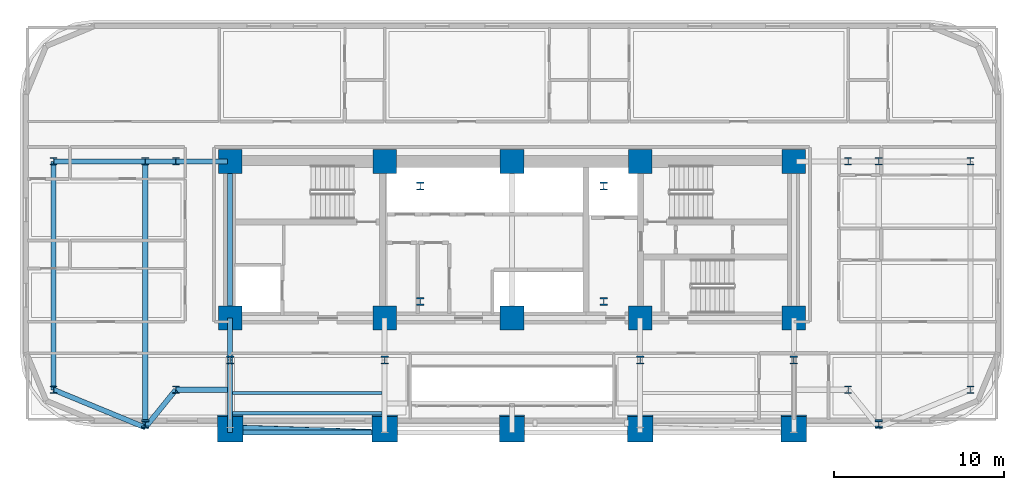
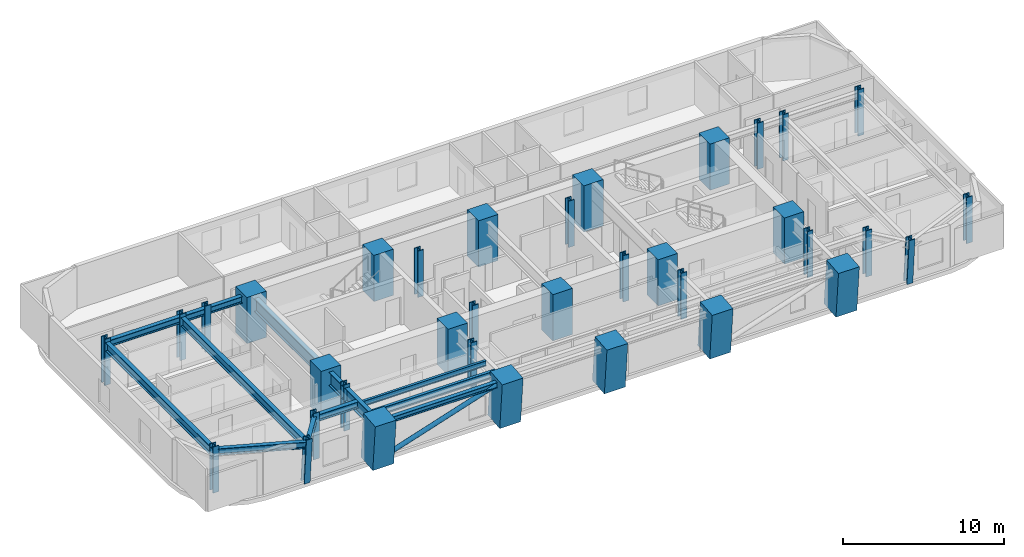
# One storey, part 1 of 16: 35 columns, 14 beams, 1 member.
"""IFC4 building model written with IfcOpenShell, lengths in metres."""

import ifcopenshell
import ifcopenshell.guid

model = None  # the IFC model being written
_history = None  # IfcOwnerHistory: only IFC2X3 demands one
_inside = {}  # id of a spatial element -> (the spatial element, [elements in it])
_under = {}  # id of a project, library or spatial element -> (it, [spatial elements below it])
_declared = {}  # id of a project -> (the project, [libraries it declares])
_typed = {}  # id of a type object -> (the type object, [elements of that type])
_made_of = {}  # id of a material, layer set ... -> (it, [elements and type objects made of it])


def new_model(schema):
    """Start an empty IFC model of exactly this schema.

    Asked for "IFC4X3", IfcOpenShell would pick the latest addendum, in which some entities
    have other attributes; the version numbers below select the first issue.
    IFC2X3 requires an IfcOwnerHistory on every rooted entity: one is made here for all.
    """
    global model, _history
    if schema == "IFC4X3":
        model = ifcopenshell.file(schema_version=(4, 3, 0, 0))
    else:
        model = ifcopenshell.file(schema=schema)
    _inside.clear()
    _under.clear()
    _declared.clear()
    _typed.clear()
    _made_of.clear()
    _history = None
    if model.schema == "IFC2X3":
        org = make("IfcOrganization", Name="unknown")
        user = make(
            "IfcPersonAndOrganization",
            ThePerson=make("IfcPerson", FamilyName="unknown"),
            TheOrganization=org,
        )
        app = make(
            "IfcApplication",
            ApplicationDeveloper=org,
            Version="unknown",
            ApplicationFullName="unknown",
            ApplicationIdentifier="unknown",
        )
        _history = make(
            "IfcOwnerHistory",
            OwningUser=user,
            OwningApplication=app,
            ChangeAction="ADDED",
            CreationDate=0,
        )
    return model


def make(cls, **values):
    """One entity of the class cls with the attributes given. An attribute that is None is left unset."""
    return model.create_entity(
        cls, **{name: value for name, value in values.items() if value is not None}
    )


def rooted(cls, **values):
    """An entity with a GlobalId (a new one), such as an element, a storey or a relation."""
    return make(cls, GlobalId=ifcopenshell.guid.new(), OwnerHistory=_history, **values)


def si_unit(unit_type, name, prefix=None):
    """IfcSIUnit, for example si_unit("LENGTHUNIT", "METRE", prefix="MILLI")."""
    return make("IfcSIUnit", UnitType=unit_type, Prefix=prefix, Name=name)


def assignment(units):
    """IfcUnitAssignment: the units of a project."""
    return None if units is None else make("IfcUnitAssignment", Units=units)


def point(xyz):
    """IfcCartesianPoint."""
    return None if xyz is None else make("IfcCartesianPoint", Coordinates=xyz)


def direction(xyz):
    """IfcDirection."""
    return None if xyz is None else make("IfcDirection", DirectionRatios=xyz)


def frame(location, z_axis=None, x_axis=None):
    """IfcAxis2Placement3D, a coordinate frame: its origin and axes. An axis left out is left unset."""
    return make(
        "IfcAxis2Placement3D",
        Location=point(location),
        Axis=direction(z_axis),
        RefDirection=direction(x_axis),
    )


def frame_2d(location, x_axis=None):
    """IfcAxis2Placement2D, a coordinate frame in the plane: its origin and x axis."""
    return make(
        "IfcAxis2Placement2D", Location=point(location), RefDirection=direction(x_axis)
    )


def origin():
    """The frame at (0, 0, 0) with its axes left unset."""
    return frame((0.0, 0.0, 0.0))


def origin_2d():
    """The frame at (0, 0) in the plane with its x axis left unset."""
    return frame_2d((0.0, 0.0))


def place(relative_to, where):
    """IfcLocalPlacement: puts the frame where relative to a parent placement (None: the world)."""
    return make(
        "IfcLocalPlacement", PlacementRelTo=relative_to, RelativePlacement=where
    )


def context(
    kind, dimensions, precision=None, world=None, true_north=None, identifier=None
):
    """IfcGeometricRepresentationContext, for example the 3D "Model" context."""
    return make(
        "IfcGeometricRepresentationContext",
        ContextIdentifier=identifier,
        ContextType=kind,
        CoordinateSpaceDimension=dimensions,
        Precision=precision,
        WorldCoordinateSystem=world,
        TrueNorth=true_north,
    )


def subcontext(parent, identifier, kind, view, scale=None):
    """IfcGeometricRepresentationSubContext, for example "Body" below "Model"."""
    return make(
        "IfcGeometricRepresentationSubContext",
        ContextIdentifier=identifier,
        ContextType=kind,
        ParentContext=parent,
        TargetScale=scale,
        TargetView=view,
    )


def project(units=None, contexts=None):
    """IfcProject with its units and contexts."""
    return rooted(
        "IfcProject",
        Name="project",
        RepresentationContexts=contexts,
        UnitsInContext=assignment(units),
    )


def spatial(cls, under=None, at=None, **own):
    """A site, building, storey or space (cls), placed at a placement, below another one or the project."""
    s = rooted(cls, ObjectPlacement=at, **own)
    if under is not None:
        _under.setdefault(under.id(), (under, []))[1].append(s)
    return s


def profile(cls, at=None, kind="AREA", **sizes):
    """A parametric profile (cls). Its sizes go by their IFC names, for example OverallWidth=200.0."""
    return make(cls, ProfileType=kind, Position=at, **sizes)


def rectangle(**sizes):
    """IfcRectangleProfileDef."""
    return profile("IfcRectangleProfileDef", **sizes)


def hollow_circle(**sizes):
    """IfcCircleHollowProfileDef."""
    return profile("IfcCircleHollowProfileDef", **sizes)


def i_section(**sizes):
    """IfcIShapeProfileDef."""
    return profile("IfcIShapeProfileDef", **sizes)


def extrude(swept, where, along, depth):
    """IfcExtrudedAreaSolid: the profile swept, set in the frame where, extruded along a direction by depth."""
    return make(
        "IfcExtrudedAreaSolid",
        SweptArea=swept,
        Position=where,
        ExtrudedDirection=direction(along),
        Depth=depth,
    )


def shape(context_of_items, identifier, shape_type, items):
    """IfcShapeRepresentation: the items that make up one representation, for example the "Body"."""
    return make(
        "IfcShapeRepresentation",
        ContextOfItems=context_of_items,
        RepresentationIdentifier=identifier,
        RepresentationType=shape_type,
        Items=items,
    )


def material(Name=None, Category=None):
    """IfcMaterial."""
    return make("IfcMaterial", Name=Name, Category=Category)


def material_profile(
    of_material, cross_section, Name=None, Category=None, Priority=None
):
    """IfcMaterialProfile: a cross section and its material."""
    return make(
        "IfcMaterialProfile",
        Name=Name,
        Material=of_material,
        Profile=cross_section,
        Priority=Priority,
        Category=Category,
    )


def profile_set(profiles, Name=None, composite=None):
    """IfcMaterialProfileSet."""
    return make(
        "IfcMaterialProfileSet",
        Name=Name,
        MaterialProfiles=profiles,
        CompositeProfile=composite,
    )


def made_of(thing, what):
    """Note that an element or type object is made of a material, layer set ...; save() writes the relation."""
    if what is not None:
        _made_of.setdefault(what.id(), (what, []))[1].append(thing)
    return thing


def type_object(cls, material=None, **own):
    """A type object (cls), such as IfcWallType, which elements share."""
    return made_of(rooted(cls, **own), material)


def element(
    cls,
    number,
    at=None,
    inside=None,
    cuts=None,
    type_object=None,
    material=None,
    context=None,
    identifier="Body",
    shape_type=None,
    held_by="IfcProductDefinitionShape",
    body=None,
    shapes=None,
    **own,
):
    """One element of the class cls, such as IfcWall. Its Tag is "e" and its number.

    at: its placement. inside: the storey or other place that contains it. cuts: it is an
    opening in that element (IfcRelVoidsElement). A single representation is given by context,
    identifier, shape_type and body (its items); several are given by shapes. held_by: the class
    of the entity that holds the representations. save() writes the other relations.
    """
    e = rooted(cls, Tag="e%d" % number, ObjectPlacement=at, **own)
    if body is not None:
        shapes = [shape(context, identifier, shape_type, body)]
    if shapes is not None:
        e.Representation = make(held_by, Representations=shapes)
    if inside is not None:
        _inside.setdefault(inside.id(), (inside, []))[1].append(e)
    if cuts is not None:
        rooted(
            "IfcRelVoidsElement", RelatingBuildingElement=cuts, RelatedOpeningElement=e
        )
    if type_object is not None:
        _typed.setdefault(type_object.id(), (type_object, []))[1].append(e)
    return made_of(e, material)


def aggregate(whole, parts):
    """IfcRelAggregates: a whole, such as a stair, and the parts it consists of."""
    return rooted("IfcRelAggregates", RelatingObject=whole, RelatedObjects=parts)


def save(model, path):
    """Write the relations noted so far, then the file.

    IfcRelAggregates (storeys below a building ...), IfcRelContainedInSpatialStructure (elements
    in a storey), IfcRelDefinesByType, IfcRelAssociatesMaterial and IfcRelDeclares: one each for
    every whole, place, type object, material and project.
    """
    for whole, parts in _under.values():
        aggregate(whole, parts)
    for where, things in _inside.values():
        rooted(
            "IfcRelContainedInSpatialStructure",
            RelatedElements=things,
            RelatingStructure=where,
        )
    for kind, things in _typed.values():
        rooted("IfcRelDefinesByType", RelatedObjects=things, RelatingType=kind)
    for what, things in _made_of.values():
        rooted("IfcRelAssociatesMaterial", RelatedObjects=things, RelatingMaterial=what)
    for by, libraries in _declared.values():
        rooted("IfcRelDeclares", RelatingContext=by, RelatedDefinitions=libraries)
    model.write(path)


model = new_model("IFC4")

# Units and contexts
model_context = context("Model", 3, precision=1e-05, world=origin(), true_north=direction((0.0, 1.0)))
body_context = subcontext(model_context, "Body", "Model", "MODEL_VIEW")
ifc_project = project(units=[si_unit("LENGTHUNIT", "METRE"), si_unit("AREAUNIT", "SQUARE_METRE"), si_unit("VOLUMEUNIT", "CUBIC_METRE"), si_unit("PLANEANGLEUNIT", "RADIAN"), si_unit("MASSUNIT", "GRAM", prefix="KILO")], contexts=[model_context])

# Site, building, storey
site_placement = place(None, origin())
site = spatial("IfcSite", under=ifc_project, at=site_placement, CompositionType="ELEMENT")
building_placement = place(site_placement, origin())
building = spatial("IfcBuilding", under=site, at=building_placement, Name="Zarnavel Station Tower", CompositionType="ELEMENT")
storey_placement = place(building_placement, frame((0.0, 0.0, 53.5)))
storey = spatial("IfcBuildingStorey", under=building, at=storey_placement, Name="L14", CompositionType="ELEMENT", Elevation=53.5)

# Columns
ifc_material_1 = material(Name="Steel S460M", Category="steel")
ifc_material_profile_1 = material_profile(ifc_material_1, i_section(OverallWidth=0.424072265625, OverallDepth=0.449951171875, WebThickness=0.041015625, FlangeThickness=0.06494140625, FilletRadius=0.014892578125, at=origin_2d()), Name="HD400x509")
ifc_profile_set_1 = profile_set([ifc_material_profile_1], Name="Steel S460M")
column_type_1 = type_object("IfcColumnType", Name="EC_HD509", PredefinedType="COLUMN", material=ifc_profile_set_1)
for number, where, z_axis, x_axis, name in (
    (1, (1.800048828125, 23.60009765625, 0.0), (0.0, 0.0, 1.0), (1.0, 0.0, 0.0), "L14 Outer Wing South Column 1"),
    (2, (1.800048828125, 37.050048828125, 0.0), (0.0, 0.0, 1.0), (1.0, 0.0, 0.0), "L14 Outer Wing North Column 1"),
):
    element("IfcColumn", number, at=place(storey_placement, frame(where, z_axis=z_axis, x_axis=x_axis)), inside=storey, type_object=column_type_1, Name=name, PredefinedType="COLUMN", context=body_context, shape_type="SweptSolid", body=[
        extrude(i_section(OverallWidth=0.424072265625, OverallDepth=0.449951171875, WebThickness=0.041015625, FlangeThickness=0.06494140625, FilletRadius=0.014892578125, at=origin_2d()), origin(), (0.0, 0.0, 1.0), 3.5),
    ])
for number, where, z_axis, x_axis, name in (
    (3, (7.199951171875, 21.63623046875, 0.0), (0.0, -0.079891690793, 0.996803550226), (1.0, 0.0, 0.0), "L14 Raked Wing Column 2"),
    (4, (50.39990234375, 21.63623046875, 0.0), (0.0, -0.079891690793, 0.996803550226), (1.0, 0.0, 0.0), "L14 Raked Wing Column 3"),
):
    element("IfcColumn", number, at=place(storey_placement, frame(where, z_axis=z_axis, x_axis=x_axis)), inside=storey, type_object=column_type_1, Name=name, PredefinedType="COLUMN", context=body_context, shape_type="SweptSolid", body=[
        extrude(i_section(OverallWidth=0.424072265625, OverallDepth=0.449951171875, WebThickness=0.041015625, FlangeThickness=0.06494140625, FilletRadius=0.014892578125, at=origin_2d()), origin(), (0.0, 0.0, 1.0), 3.51123046875),
    ])
for number, where, z_axis, x_axis, name in (
    (5, (55.800048828125, 23.60009765625, 0.0), (0.0, 0.0, 1.0), (1.0, 0.0, 0.0), "L14 Outer Wing South Column 4"),
    (6, (55.800048828125, 37.050048828125, 0.0), (0.0, 0.0, 1.0), (1.0, 0.0, 0.0), "L14 Outer Wing North Column 4"),
):
    element("IfcColumn", number, at=place(storey_placement, frame(where, z_axis=z_axis, x_axis=x_axis)), inside=storey, type_object=column_type_1, Name=name, PredefinedType="COLUMN", context=body_context, shape_type="SweptSolid", body=[
        extrude(i_section(OverallWidth=0.424072265625, OverallDepth=0.449951171875, WebThickness=0.041015625, FlangeThickness=0.06494140625, FilletRadius=0.014892578125, at=origin_2d()), origin(), (0.0, 0.0, 1.0), 3.5),
    ])
ifc_material_2 = material(Name="Steel S460M", Category="steel")
ifc_material_profile_2 = material_profile(ifc_material_2, i_section(OverallWidth=0.424072265625, OverallDepth=0.449951171875, WebThickness=0.041015625, FlangeThickness=0.06494140625, FilletRadius=0.014892578125, at=origin_2d()), Name="HD400x509")
ifc_profile_set_2 = profile_set([ifc_material_profile_2], Name="Steel S460M")
column_type_2 = type_object("IfcColumnType", Name="IC_HD509", PredefinedType="COLUMN", material=ifc_profile_set_2)
for number, where, z_axis, x_axis, name in (
    (7, (23.39990234375, 28.800048828125, 0.0), (0.0, 0.0, 1.0), (1.0, 0.0, 0.0), "L14 Mast Spine Column 1"),
    (8, (34.199951171875, 28.800048828125, 0.0), (0.0, 0.0, 1.0), (1.0, 0.0, 0.0), "L14 Mast Spine Column 2"),
    (9, (34.199951171875, 35.60009765625, 0.0), (0.0, 0.0, 1.0), (1.0, 0.0, 0.0), "L14 Mast Spine Column 3"),
    (10, (23.39990234375, 35.60009765625, 0.0), (0.0, 0.0, 1.0), (1.0, 0.0, 0.0), "L14 Mast Spine Column 4"),
    (11, (12.199951171875, 25.35009765625, 0.0), (0.0, 0.0, 1.0), (1.0, 0.0, 0.0), "L14 Inner Spine Column 1"),
    (12, (21.300048828125, 25.35009765625, 0.0), (0.0, 0.0, 1.0), (1.0, 0.0, 0.0), "L14 Inner Spine Column 2"),
    (13, (36.35009765625, 25.35009765625, 0.0), (0.0, 0.0, 1.0), (1.0, 0.0, 0.0), "L14 Inner Spine Column 4"),
    (14, (45.39990234375, 25.35009765625, 0.0), (0.0, 0.0, 1.0), (1.0, 0.0, 0.0), "L14 Inner Spine Column 5"),
    (15, (9.0, 23.60009765625, 0.0), (0.0, 0.0, 1.0), (1.0, 0.0, 0.0), "L14 Inner Wing Spine Column 1-1"),
    (16, (9.0, 37.050048828125, 0.0), (0.0, 0.0, 1.0), (1.0, 0.0, 0.0), "L14 Inner Wing Spine Column 1-2"),
    (17, (48.60009765625, 23.60009765625, 0.0), (0.0, 0.0, 1.0), (1.0, 0.0, 0.0), "L14 Inner Wing Spine Column 2-1"),
    (18, (48.60009765625, 37.050048828125, 0.0), (0.0, 0.0, 1.0), (1.0, 0.0, 0.0), "L14 Inner Wing Spine Column 2-2"),
    (19, (7.199951171875, 37.050048828125, 0.0), (0.0, 0.0, 1.0), (1.0, 0.0, 0.0), "L14 Outer Wing North Column 2"),
    (20, (50.39990234375, 37.050048828125, 0.0), (0.0, 0.0, 1.0), (1.0, 0.0, 0.0), "L14 Outer Wing North Column 3"),
):
    element("IfcColumn", number, at=place(storey_placement, frame(where, z_axis=z_axis, x_axis=x_axis)), inside=storey, type_object=column_type_2, Name=name, PredefinedType="COLUMN", context=body_context, shape_type="SweptSolid", body=[
        extrude(i_section(OverallWidth=0.424072265625, OverallDepth=0.449951171875, WebThickness=0.041015625, FlangeThickness=0.06494140625, FilletRadius=0.014892578125, at=origin_2d()), origin(), (0.0, 0.0, 1.0), 3.5),
    ])
ifc_material_3 = material(Name="Concrete C60/75", Category="concrete")
ifc_material_profile_3 = material_profile(ifc_material_3, rectangle(XDim=1.39990234375, YDim=1.39990234375, at=origin_2d()), Name="RC1400x1400")
ifc_profile_set_3 = profile_set([ifc_material_profile_3], Name="Concrete C60/75")
column_type_3 = type_object("IfcColumnType", Name="IC_RC1400", PredefinedType="COLUMN", material=ifc_profile_set_3)
for number, where, z_axis, x_axis, name in (
    (21, (12.199951171875, 27.820068359375, 0.0), (0.0, 0.0, 1.0), (1.0, 0.0, 0.0), "L14 Core Spine Column 1-1"),
    (22, (12.199951171875, 37.050048828125, 0.0), (0.0, 0.0, 1.0), (1.0, 0.0, 0.0), "L14 Core Spine Column 1-2"),
    (23, (21.300048828125, 27.820068359375, 0.0), (0.0, 0.0, 1.0), (1.0, 0.0, 0.0), "L14 Core Spine Column 2-1"),
    (24, (21.300048828125, 37.050048828125, 0.0), (0.0, 0.0, 1.0), (1.0, 0.0, 0.0), "L14 Core Spine Column 2-2"),
    (25, (28.800048828125, 27.820068359375, 0.0), (0.0, 0.0, 1.0), (1.0, 0.0, 0.0), "L14 Core Spine Column 3-1"),
    (26, (28.800048828125, 37.050048828125, 0.0), (0.0, 0.0, 1.0), (1.0, 0.0, 0.0), "L14 Core Spine Column 3-2"),
    (27, (36.35009765625, 27.820068359375, 0.0), (0.0, 0.0, 1.0), (1.0, 0.0, 0.0), "L14 Core Spine Column 4-1"),
    (28, (36.35009765625, 37.050048828125, 0.0), (0.0, 0.0, 1.0), (1.0, 0.0, 0.0), "L14 Core Spine Column 4-2"),
    (29, (45.39990234375, 27.820068359375, 0.0), (0.0, 0.0, 1.0), (1.0, 0.0, 0.0), "L14 Core Spine Column 5-1"),
    (30, (45.39990234375, 37.050048828125, 0.0), (0.0, 0.0, 1.0), (1.0, 0.0, 0.0), "L14 Core Spine Column 5-2"),
):
    element("IfcColumn", number, at=place(storey_placement, frame(where, z_axis=z_axis, x_axis=x_axis)), inside=storey, type_object=column_type_3, Name=name, PredefinedType="COLUMN", context=body_context, shape_type="SweptSolid", body=[
        extrude(rectangle(XDim=1.39990234375, YDim=1.39990234375, at=origin_2d()), origin(), (0.0, 0.0, 1.0), 3.5),
    ])
ifc_material_4 = material(Name="Concrete C60/75", Category="concrete")
ifc_material_profile_4 = material_profile(ifc_material_4, rectangle(XDim=1.5, YDim=1.5, at=origin_2d()), Name="RC1500x1500")
ifc_profile_set_4 = profile_set([ifc_material_profile_4], Name="Concrete C60/75")
column_type_4 = type_object("IfcColumnType", Name="MC_RC1500", PredefinedType="COLUMN", material=ifc_profile_set_4)
for number, where, z_axis, x_axis, name in (
    (31, (12.199951171875, 21.3798828125, 0.0), (0.0, -0.090310252801, 0.995913680114), (1.0, 0.0, 0.0), "L14 Raked South Mega-Column 1"),
    (32, (21.300048828125, 21.3798828125, 0.0), (0.0, -0.090310252801, 0.995913680114), (1.0, 0.0, 0.0), "L14 Raked South Mega-Column 2"),
    (33, (28.800048828125, 21.3798828125, 0.0), (0.0, -0.090310252801, 0.995913680114), (1.0, 0.0, 0.0), "L14 Raked South Mega-Column 3"),
    (34, (36.35009765625, 21.3798828125, 0.0), (0.0, -0.090310252801, 0.995913680114), (1.0, 0.0, 0.0), "L14 Raked South Mega-Column 4"),
    (35, (45.39990234375, 21.3798828125, 0.0), (0.0, -0.090310252801, 0.995913680114), (1.0, 0.0, 0.0), "L14 Raked South Mega-Column 5"),
):
    element("IfcColumn", number, at=place(storey_placement, frame(where, z_axis=z_axis, x_axis=x_axis)), inside=storey, type_object=column_type_4, Name=name, PredefinedType="COLUMN", context=body_context, shape_type="SweptSolid", body=[
        extrude(rectangle(XDim=1.5, YDim=1.5, at=origin_2d()), origin(), (0.0, 0.0, 1.0), 3.514404296875),
    ])

# Member
ifc_material_5 = material(Name="Steel S355J2", Category="steel")
ifc_material_profile_5 = material_profile(ifc_material_5, hollow_circle(Radius=0.161865234375, WallThickness=0.012451171875, at=origin_2d()), Name="CHS323.9x12.5")
ifc_profile_set_5 = profile_set([ifc_material_profile_5], Name="Steel S355J2")
member_type = type_object("IfcMemberType", Name="DB_EXT_CHS324", PredefinedType="BRACE", material=ifc_profile_set_5)
member_placement = place(storey_placement, frame((12.199951171875, 21.3798828125, 0.0), z_axis=(0.941635675338, -0.030390827854, 0.335259082669), x_axis=(0.032257711549, 0.999479584607, 0.0)))
element("IfcMember", 36, at=member_placement, inside=storey, type_object=member_type, Name="L14 Persian Exterior Diagonal Frame Brace 1", PredefinedType="BRACE", context=body_context, shape_type="SweptSolid", body=[
    extrude(hollow_circle(Radius=0.161865234375, WallThickness=0.012451171875, at=origin_2d()), origin(), (0.0, 0.0, 1.0), 9.6640625),
])

# Beams
ifc_material_6 = material(Name="Steel S355J2", Category="steel")
ifc_material_profile_6 = material_profile(ifc_material_6, i_section(OverallWidth=0.300048828125, OverallDepth=0.39990234375, WebThickness=0.013427734375, FlangeThickness=0.02392578125, FilletRadius=0.027099609375, at=origin_2d()), Name="HEB400")
ifc_profile_set_6 = profile_set([ifc_material_profile_6], Name="Steel S355J2")
beam_type_1 = type_object("IfcBeamType", Name="EB_HEB400", PredefinedType="SPANDREL", material=ifc_profile_set_6)
beam_1_placement = place(storey_placement, frame((12.199951171875, 21.086181640625, 3.0400390625), z_axis=(1.0, 0.0, 0.0), x_axis=(0.0, 1.0, 0.0)))
element("IfcBeam", 37, at=beam_1_placement, inside=storey, type_object=beam_type_1, Name="L14 South Raked Spandrel 1", PredefinedType="SPANDREL", context=body_context, shape_type="SweptSolid", body=[
    extrude(i_section(OverallWidth=0.300048828125, OverallDepth=0.39990234375, WebThickness=0.013427734375, FlangeThickness=0.02392578125, FilletRadius=0.027099609375, at=origin_2d()), origin(), (0.0, 0.0, 1.0), 9.10009765625),
])
ifc_material_7 = material(Name="Steel S355J2", Category="steel")
ifc_material_profile_7 = material_profile(ifc_material_7, i_section(OverallWidth=0.179931640625, OverallDepth=0.39990234375, WebThickness=0.008544921875, FlangeThickness=0.013427734375, FilletRadius=0.02099609375, at=origin_2d()), Name="IPE400")
ifc_profile_set_7 = profile_set([ifc_material_profile_7], Name="Steel S355J2")
beam_type_2 = type_object("IfcBeamType", Name="FB_IPE400", PredefinedType="BEAM", material=ifc_profile_set_7)
beam_2_placement = place(storey_placement, frame((12.344970703125, 23.412109375, 3.0400390625), z_axis=(1.0, 0.0, 0.0), x_axis=(0.0, 1.0, 0.0)))
element("IfcBeam", 38, at=beam_2_placement, inside=storey, type_object=beam_type_2, Name="L14 West Bay Beam 2", PredefinedType="BEAM", context=body_context, shape_type="SweptSolid", body=[
    extrude(i_section(OverallWidth=0.179931640625, OverallDepth=0.39990234375, WebThickness=0.008544921875, FlangeThickness=0.013427734375, FilletRadius=0.02099609375, at=origin_2d()), origin(), (0.0, 0.0, 1.0), 8.81005859375),
])
ifc_material_8 = material(Name="Steel S355J2", Category="steel")
ifc_material_profile_8 = material_profile(ifc_material_8, i_section(OverallWidth=0.2099609375, OverallDepth=0.550048828125, WebThickness=0.010986328125, FlangeThickness=0.01708984375, FilletRadius=0.02392578125, at=origin_2d()), Name="IPE550")
ifc_profile_set_8 = profile_set([ifc_material_profile_8], Name="Steel S355J2")
beam_type_3 = type_object("IfcBeamType", Name="FB_IPE550", PredefinedType="BEAM", material=ifc_profile_set_8)
beam_3_placement = place(storey_placement, frame((12.344970703125, 22.22412109375, 2.965087890625), z_axis=(1.0, 0.0, 0.0), x_axis=(0.0, 1.0, 0.0)))
element("IfcBeam", 39, at=beam_3_placement, inside=storey, type_object=beam_type_3, Name="L14 West Bay Beam 1", PredefinedType="BEAM", context=body_context, shape_type="SweptSolid", body=[
    extrude(i_section(OverallWidth=0.2099609375, OverallDepth=0.550048828125, WebThickness=0.010986328125, FlangeThickness=0.01708984375, FilletRadius=0.02392578125, at=origin_2d()), origin(), (0.0, 0.0, 1.0), 8.81005859375),
])
ifc_material_9 = material(Name="Steel S355J2", Category="steel")
ifc_material_profile_9 = material_profile(ifc_material_9, i_section(OverallWidth=0.300048828125, OverallDepth=0.5, WebThickness=0.014404296875, FlangeThickness=0.028076171875, FilletRadius=0.027099609375, at=origin_2d()), Name="HEB500")
ifc_profile_set_9 = profile_set([ifc_material_profile_9], Name="Steel S355J2")
beam_type_4 = type_object("IfcBeamType", Name="FG_HEB500", PredefinedType="USERDEFINED", material=ifc_profile_set_9)
beam_4_placement = place(storey_placement, frame((1.800048828125, 23.60009765625, 2.989990234375), z_axis=(0.924684159116, -0.380735086222, 0.0), x_axis=(0.380735086222, 0.924684159116, 0.0)))
element("IfcBeam", 40, at=beam_4_placement, inside=storey, type_object=beam_type_4, Name="L14 West Wing South Tie 1", ObjectType="GIRDER", PredefinedType="USERDEFINED", context=body_context, shape_type="SweptSolid", body=[
    extrude(i_section(OverallWidth=0.300048828125, OverallDepth=0.5, WebThickness=0.014404296875, FlangeThickness=0.028076171875, FilletRadius=0.027099609375, at=origin_2d()), origin(), (0.0, 0.0, 1.0), 5.83984375),
])
beam_5_placement = place(storey_placement, frame((1.800048828125, 37.050048828125, 2.989990234375), z_axis=(1.0, 0.0, 0.0), x_axis=(0.0, 1.0, 0.0)))
element("IfcBeam", 41, at=beam_5_placement, inside=storey, type_object=beam_type_4, Name="L14 West Wing North Tie 1", ObjectType="GIRDER", PredefinedType="USERDEFINED", context=body_context, shape_type="SweptSolid", body=[
    extrude(i_section(OverallWidth=0.300048828125, OverallDepth=0.5, WebThickness=0.014404296875, FlangeThickness=0.028076171875, FilletRadius=0.027099609375, at=origin_2d()), origin(), (0.0, 0.0, 1.0), 5.39990234375),
])
beam_6_placement = place(storey_placement, frame((7.199951171875, 21.376708984375, 2.989990234375), z_axis=(0.629232598996, 0.777217045851, 0.0), x_axis=(-0.777217045851, 0.629232598996, 0.0)))
element("IfcBeam", 42, at=beam_6_placement, inside=storey, type_object=beam_type_4, Name="L14 West Wing South Tie 2", ObjectType="GIRDER", PredefinedType="USERDEFINED", context=body_context, shape_type="SweptSolid", body=[
    extrude(i_section(OverallWidth=0.300048828125, OverallDepth=0.5, WebThickness=0.014404296875, FlangeThickness=0.028076171875, FilletRadius=0.027099609375, at=origin_2d()), origin(), (0.0, 0.0, 1.0), 2.860595703125),
])
beam_7_placement = place(storey_placement, frame((7.199951171875, 37.050048828125, 2.989990234375), z_axis=(1.0, 0.0, 0.0), x_axis=(0.0, 1.0, 0.0)))
element("IfcBeam", 43, at=beam_7_placement, inside=storey, type_object=beam_type_4, Name="L14 West Wing North Tie 2", ObjectType="GIRDER", PredefinedType="USERDEFINED", context=body_context, shape_type="SweptSolid", body=[
    extrude(i_section(OverallWidth=0.300048828125, OverallDepth=0.5, WebThickness=0.014404296875, FlangeThickness=0.028076171875, FilletRadius=0.027099609375, at=origin_2d()), origin(), (0.0, 0.0, 1.0), 1.800048828125),
])
for number, where, z_axis, x_axis, name in (
    (44, (9.0, 23.60009765625, 2.989990234375), (1.0, 0.0, 0.0), (0.0, 1.0, 0.0), "L14 West Wing South Tie 3"),
    (45, (9.0, 37.050048828125, 2.989990234375), (1.0, 0.0, 0.0), (0.0, 1.0, 0.0), "L14 West Wing North Tie 3"),
):
    element("IfcBeam", number, at=place(storey_placement, frame(where, z_axis=z_axis, x_axis=x_axis)), inside=storey, type_object=beam_type_4, Name=name, ObjectType="GIRDER", PredefinedType="USERDEFINED", context=body_context, shape_type="SweptSolid", body=[
        extrude(i_section(OverallWidth=0.300048828125, OverallDepth=0.5, WebThickness=0.014404296875, FlangeThickness=0.028076171875, FilletRadius=0.027099609375, at=origin_2d()), origin(), (0.0, 0.0, 1.0), 3.054931640625),
    ])
ifc_material_10 = material(Name="Steel S355J2", Category="steel")
ifc_material_profile_10 = material_profile(ifc_material_10, i_section(OverallWidth=0.300048828125, OverallDepth=0.64990234375, WebThickness=0.01611328125, FlangeThickness=0.031005859375, FilletRadius=0.027099609375, at=origin_2d()), Name="HEB650")
ifc_profile_set_10 = profile_set([ifc_material_profile_10], Name="Steel S355J2")
beam_type_5 = type_object("IfcBeamType", Name="FG_HEB650", PredefinedType="USERDEFINED", material=ifc_profile_set_10)
beam_8_placement = place(storey_placement, frame((1.800048828125, 23.60009765625, 2.9150390625), z_axis=(0.0, 1.0, 0.0), x_axis=(-1.0, 0.0, 0.0)))
element("IfcBeam", 46, at=beam_8_placement, inside=storey, type_object=beam_type_5, Name="L14 Wing NS Girder 1", ObjectType="GIRDER", PredefinedType="USERDEFINED", context=body_context, shape_type="SweptSolid", body=[
    extrude(i_section(OverallWidth=0.300048828125, OverallDepth=0.64990234375, WebThickness=0.01611328125, FlangeThickness=0.031005859375, FilletRadius=0.027099609375, at=origin_2d()), origin(), (0.0, 0.0, 1.0), 13.449951171875),
])
beam_9_placement = place(storey_placement, frame((7.199951171875, 21.376708984375, 2.9150390625), z_axis=(0.0, 1.0, 0.0), x_axis=(-1.0, 0.0, 0.0)))
element("IfcBeam", 47, at=beam_9_placement, inside=storey, type_object=beam_type_5, Name="L14 Wing NS Girder 2", ObjectType="GIRDER", PredefinedType="USERDEFINED", context=body_context, shape_type="SweptSolid", body=[
    extrude(i_section(OverallWidth=0.300048828125, OverallDepth=0.64990234375, WebThickness=0.01611328125, FlangeThickness=0.031005859375, FilletRadius=0.027099609375, at=origin_2d()), origin(), (0.0, 0.0, 1.0), 15.67333984375),
])
ifc_material_11 = material(Name="Steel S460M", Category="steel")
ifc_material_profile_11 = material_profile(ifc_material_11, i_section(OverallWidth=0.302001953125, OverallDepth=1.008056640625, WebThickness=0.02099609375, FlangeThickness=0.0400390625, FilletRadius=0.030029296875, at=origin_2d()), Name="HEM1000")
ifc_profile_set_11 = profile_set([ifc_material_profile_11], Name="Steel S460M")
beam_type_6 = type_object("IfcBeamType", Name="TG_HEM1000", PredefinedType="USERDEFINED", material=ifc_profile_set_11)
beam_10_placement = place(storey_placement, frame((12.199951171875, 27.820068359375, 2.736083984375), z_axis=(0.0, 1.0, 0.0), x_axis=(-1.0, 0.0, 0.0)))
element("IfcBeam", 48, at=beam_10_placement, inside=storey, type_object=beam_type_6, Name="L14 Core Spine Coupling Girder 1", ObjectType="GIRDER", PredefinedType="USERDEFINED", context=body_context, shape_type="SweptSolid", body=[
    extrude(i_section(OverallWidth=0.302001953125, OverallDepth=1.008056640625, WebThickness=0.02099609375, FlangeThickness=0.0400390625, FilletRadius=0.030029296875, at=origin_2d()), origin(), (0.0, 0.0, 1.0), 9.22998046875),
])
beam_11_placement = place(storey_placement, frame((12.199951171875, 21.086181640625, 2.736083984375), z_axis=(0.0, 1.0, 0.0), x_axis=(-1.0, 0.0, 0.0)))
element("IfcBeam", 49, at=beam_11_placement, inside=storey, type_object=beam_type_6, Name="L14 South-Zone NS Girder 1", ObjectType="GIRDER", PredefinedType="USERDEFINED", context=body_context, shape_type="SweptSolid", body=[
    extrude(i_section(OverallWidth=0.302001953125, OverallDepth=1.008056640625, WebThickness=0.02099609375, FlangeThickness=0.0400390625, FilletRadius=0.030029296875, at=origin_2d()), origin(), (0.0, 0.0, 1.0), 4.263916015625),
])
beam_12_placement = place(storey_placement, frame((12.199951171875, 25.35009765625, 2.736083984375), z_axis=(0.0, 1.0, 0.0), x_axis=(-1.0, 0.0, 0.0)))
element("IfcBeam", 50, at=beam_12_placement, inside=storey, type_object=beam_type_6, Name="L14 Inner-Zone NS Girder 1", ObjectType="GIRDER", PredefinedType="USERDEFINED", context=body_context, shape_type="SweptSolid", body=[
    extrude(i_section(OverallWidth=0.302001953125, OverallDepth=1.008056640625, WebThickness=0.02099609375, FlangeThickness=0.0400390625, FilletRadius=0.030029296875, at=origin_2d()), origin(), (0.0, 0.0, 1.0), 2.469970703125),
])

save(model, "model.ifc")
